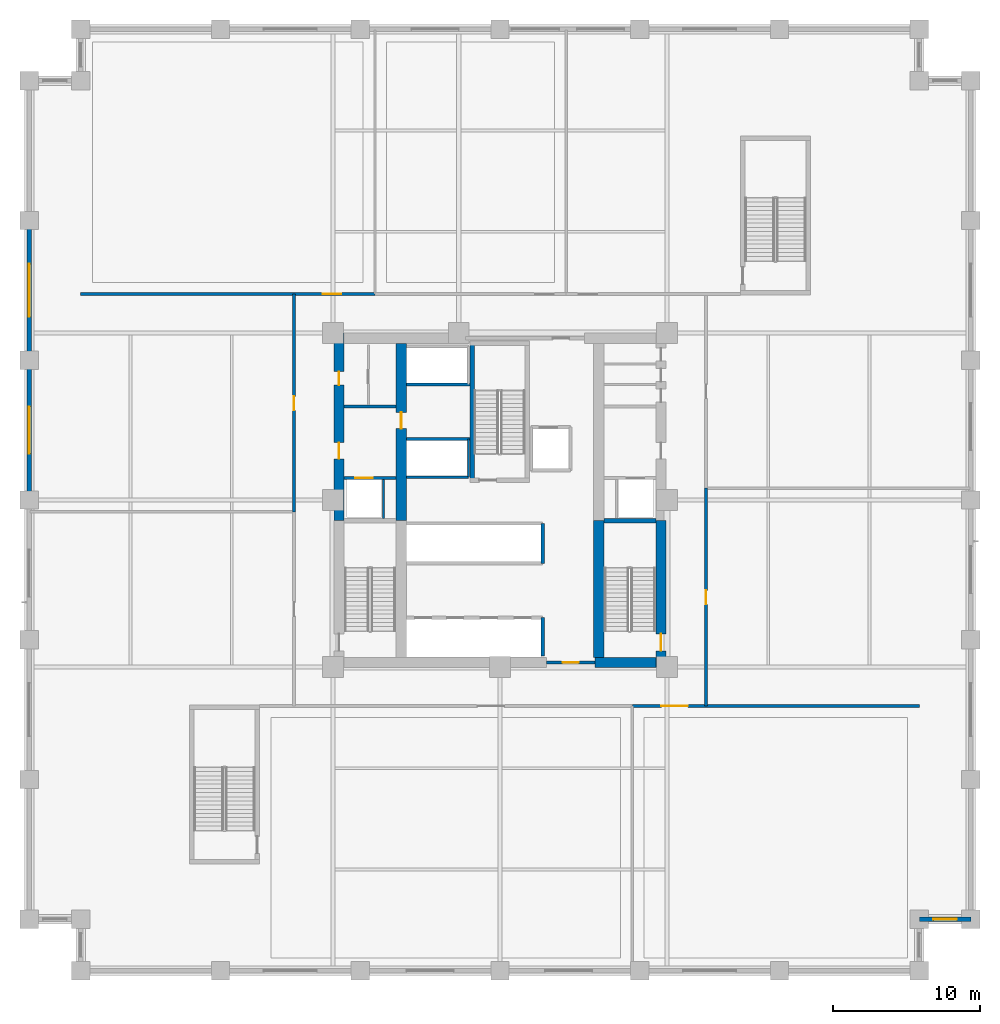
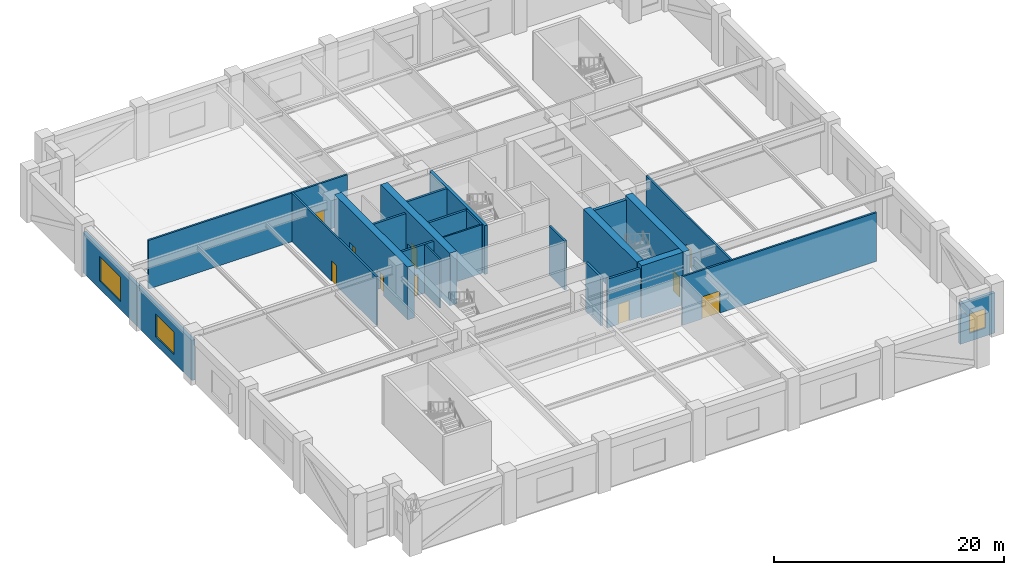
# One storey, part 6 of 14: 24 walls, 10 doors, 3 windows, 13 openings.
"""IFC4 building model written with IfcOpenShell, lengths in metres."""

from ifc_helpers import new_model, si_unit, direction, frame, frame_2d, origin, place, context, subcontext, project, spatial, rectangle, extrude, material, layer, layer_set, type_object, element, fill, save


model = new_model("IFC4")

# Units and contexts
model_context = context("Model", 3, precision=1e-05, world=origin(), true_north=direction((0.0, 1.0)))
body_context = subcontext(model_context, "Body", "Model", "MODEL_VIEW")
ifc_project = project(units=[si_unit("LENGTHUNIT", "METRE"), si_unit("AREAUNIT", "SQUARE_METRE"), si_unit("VOLUMEUNIT", "CUBIC_METRE"), si_unit("PLANEANGLEUNIT", "RADIAN"), si_unit("MASSUNIT", "GRAM", prefix="KILO")], contexts=[model_context])

# Site, building, storey
site_placement = place(None, origin())
site = spatial("IfcSite", under=ifc_project, at=site_placement, CompositionType="ELEMENT")
building_placement = place(site_placement, origin())
building = spatial("IfcBuilding", under=site, at=building_placement, Name="Nhamokura Convention Tower", CompositionType="ELEMENT")
storey_placement = place(building_placement, frame((0.0, 0.0, 23.800048828125)))
storey = spatial("IfcBuildingStorey", under=building, at=storey_placement, Name="L04", CompositionType="ELEMENT", Elevation=23.800048828125)

# Wall, opening, window
ifc_material_1 = material(Name="Bronze-pigmented precast concrete C45/55", Category="concrete")
ifc_layer_1 = layer(ifc_material_1, 0.320068359375)
ifc_layer_set_1 = layer_set([ifc_layer_1], Name="BronzePrecastSpandrel_320")
wall_type_1 = type_object("IfcWallType", Name="BronzePrecastSpandrel_320", PredefinedType="USERDEFINED", material=ifc_layer_set_1)
wall_1_placement = place(storey_placement, frame((0.0, 32.0, 0.0), z_axis=(0.0, 0.0, 1.0), x_axis=(0.0, 1.0, 0.0)))
wall_1 = element("IfcWall", 1, at=wall_1_placement, inside=storey, type_object=wall_type_1, Name="L04 Masonry-Frame Wall WEST 3", ObjectType="SPANDREL_WALL", PredefinedType="USERDEFINED", context=body_context, shape_type="SweptSolid", body=[
    extrude(rectangle(XDim=9.5, YDim=0.320068359375, at=frame_2d((4.75, 0.0))), origin(), (0.0, 0.0, 1.0), 4.280029296875),
])
opening_1_placement = place(wall_1_placement, frame((3.14990234375, 0.0, 0.85009765625)))
opening_1 = element("IfcOpeningElement", 2, at=opening_1_placement, cuts=wall_1, Name="Opening W-02", PredefinedType="OPENING", context=body_context, shape_type="SweptSolid", body=[
    extrude(rectangle(XDim=3.199951171875, YDim=2.39990234375, at=frame_2d((1.60009765625, 1.199951171875))), frame((0.0, 0.169921875, 0.0), z_axis=(0.0, -1.0, 0.0), x_axis=(1.0, 0.0, 0.0)), (0.0, 0.0, 1.0), 0.340087890625),
])
ifc_material_2 = material(Name="Solar-control bronze low-E double glass", Category="glass")
window_type_1 = type_object("IfcWindowType", Name="ConventionFoyerWindow_3200", PartitioningType="DOUBLE_PANEL_VERTICAL", PredefinedType="WINDOW", material=ifc_material_2)
window_1_placement = place(opening_1_placement, origin())
window_1 = element("IfcWindow", 3, at=window_1_placement, inside=storey, type_object=window_type_1, Name="L04 Facade Window WEST 3", OverallHeight=2.39990234375, OverallWidth=3.199951171875, PartitioningType="SINGLE_PANEL", PredefinedType="WINDOW", context=body_context, shape_type="SweptSolid", body=[
    extrude(rectangle(XDim=3.199951171875, YDim=2.39990234375, at=frame_2d((1.60009765625, 1.199951171875))), frame((0.0, 0.030029296875, 0.0), z_axis=(0.0, -1.0, 0.0), x_axis=(1.0, 0.0, 0.0)), (0.0, 0.0, 1.0), 0.06005859375),
])
fill(opening_1, window_1)

wall_2_placement = place(storey_placement, frame((0.0, 41.5, 0.0), z_axis=(0.0, 0.0, 1.0), x_axis=(0.0, 1.0, 0.0)))
wall_2 = element("IfcWall", 4, at=wall_2_placement, inside=storey, type_object=wall_type_1, Name="L04 Masonry-Frame Wall WEST 4", ObjectType="SPANDREL_WALL", PredefinedType="USERDEFINED", context=body_context, shape_type="SweptSolid", body=[
    extrude(rectangle(XDim=9.5, YDim=0.320068359375, at=frame_2d((4.75, 0.0))), origin(), (0.0, 0.0, 1.0), 4.280029296875),
])
opening_2_placement = place(wall_2_placement, frame((2.949951171875, 0.0, 0.85009765625)))
opening_2 = element("IfcOpeningElement", 5, at=opening_2_placement, cuts=wall_2, Name="Opening W-01", PredefinedType="OPENING", context=body_context, shape_type="SweptSolid", body=[
    extrude(rectangle(XDim=3.60009765625, YDim=2.60009765625, at=frame_2d((1.800048828125, 1.300048828125))), frame((0.0, 0.169921875, 0.0), z_axis=(0.0, -1.0, 0.0), x_axis=(1.0, 0.0, 0.0)), (0.0, 0.0, 1.0), 0.340087890625),
])
ifc_material_3 = material(Name="Solar-control bronze low-E double glass", Category="glass")
window_type_2 = type_object("IfcWindowType", Name="PodiumClerestoryWindow_3600", PartitioningType="TRIPLE_PANEL_VERTICAL", PredefinedType="WINDOW", material=ifc_material_3)
window_2_placement = place(opening_2_placement, origin())
window_2 = element("IfcWindow", 6, at=window_2_placement, inside=storey, type_object=window_type_2, Name="L04 Facade Window WEST 4", OverallHeight=2.60009765625, OverallWidth=3.60009765625, PartitioningType="SINGLE_PANEL", PredefinedType="WINDOW", context=body_context, shape_type="SweptSolid", body=[
    extrude(rectangle(XDim=3.60009765625, YDim=2.60009765625, at=frame_2d((1.800048828125, 1.300048828125))), frame((0.0, 0.030029296875, 0.0), z_axis=(0.0, -1.0, 0.0), x_axis=(1.0, 0.0, 0.0)), (0.0, 0.0, 1.0), 0.06005859375),
])
fill(opening_2, window_2)

wall_3_placement = place(storey_placement, frame((64.0, 3.5, 0.0), z_axis=(0.0, 0.0, 1.0), x_axis=(-1.0, 0.0, 0.0)))
wall_3 = element("IfcWall", 7, at=wall_3_placement, inside=storey, type_object=wall_type_1, Name="L04 Notched Corner Wall SE2", ObjectType="SPANDREL_WALL", PredefinedType="USERDEFINED", context=body_context, shape_type="SweptSolid", body=[
    extrude(rectangle(XDim=3.5, YDim=0.320068359375, at=frame_2d((1.75, 0.0))), origin(), (0.0, 0.0, 1.0), 4.280029296875),
])
opening_3_placement = place(wall_3_placement, frame((0.949951171875, 0.0, 0.85009765625)))
opening_3 = element("IfcOpeningElement", 8, at=opening_3_placement, cuts=wall_3, Name="Opening W-11", PredefinedType="OPENING", context=body_context, shape_type="SweptSolid", body=[
    extrude(rectangle(XDim=1.60009765625, YDim=2.050048828125, at=frame_2d((0.800048828125, 1.02490234375))), frame((0.0, 0.169921875, 0.0), z_axis=(0.0, -1.0, 0.0), x_axis=(1.0, 0.0, 0.0)), (0.0, 0.0, 1.0), 0.340087890625),
])
ifc_material_4 = material(Name="Solar-control bronze low-E double glass", Category="glass")
window_type_3 = type_object("IfcWindowType", Name="NotchCornerWindow_1600", PartitioningType="SINGLE_PANEL", PredefinedType="WINDOW", material=ifc_material_4)
window_3_placement = place(opening_3_placement, origin())
window_3 = element("IfcWindow", 9, at=window_3_placement, inside=storey, type_object=window_type_3, Name="L04 Notched Corner Window SE2", OverallHeight=2.050048828125, OverallWidth=1.60009765625, PartitioningType="SINGLE_PANEL", PredefinedType="WINDOW", context=body_context, shape_type="SweptSolid", body=[
    extrude(rectangle(XDim=1.60009765625, YDim=2.050048828125, at=frame_2d((0.800048828125, 1.02490234375))), frame((0.0, 0.030029296875, 0.0), z_axis=(0.0, -1.0, 0.0), x_axis=(1.0, 0.0, 0.0)), (0.0, 0.0, 1.0), 0.06005859375),
])
fill(opening_3, window_3)

# Wall, openings, doors
ifc_material_5 = material(Name="Concrete C70/85", Category="concrete")
ifc_layer_2 = layer(ifc_material_5, 0.699951171875)
ifc_layer_set_2 = layer_set([ifc_layer_2], Name="CoreShearWall_700")
wall_type_2 = type_object("IfcWallType", Name="CoreShearWall_700", PredefinedType="SHEAR", material=ifc_layer_set_2)
wall_4_placement = place(storey_placement, frame((21.06005859375, 30.60009765625, 0.0), z_axis=(0.0, 0.0, 1.0), x_axis=(0.0, 1.0, 0.0)))
wall_4 = element("IfcWall", 10, at=wall_4_placement, inside=storey, type_object=wall_type_2, Name="L04 Core Shear Wall CW-WN", PredefinedType="SHEAR", context=body_context, shape_type="SweptSolid", body=[
    extrude(rectangle(XDim=12.75, YDim=0.699951171875, at=frame_2d((6.375, 0.0))), origin(), (0.0, 0.0, 1.0), 5.599853515625),
])
opening_4_placement = place(wall_4_placement, frame((4.199951171875, 0.0, 0.0)))
opening_4 = element("IfcOpeningElement", 11, at=opening_4_placement, cuts=wall_4, Name="Opening D-05", PredefinedType="OPENING", context=body_context, shape_type="SweptSolid", body=[
    extrude(rectangle(XDim=1.10009765625, YDim=2.14990234375, at=frame_2d((0.550048828125, 1.074951171875))), frame((0.0, 0.35986328125, 0.0), z_axis=(0.0, -1.0, 0.0), x_axis=(1.0, 0.0, 0.0)), (0.0, 0.0, 1.0), 0.719970703125),
])
opening_5_placement = place(wall_4_placement, frame((9.199951171875, 0.0, 0.0)))
opening_5 = element("IfcOpeningElement", 12, at=opening_5_placement, cuts=wall_4, Name="Opening D-10", PredefinedType="OPENING", context=body_context, shape_type="SweptSolid", body=[
    extrude(rectangle(XDim=0.919921875, YDim=2.10009765625, at=frame_2d((0.4599609375, 1.050048828125))), frame((0.0, 0.35986328125, 0.0), z_axis=(0.0, -1.0, 0.0), x_axis=(1.0, 0.0, 0.0)), (0.0, 0.0, 1.0), 0.719970703125),
])
ifc_material_6 = material(Name="Solid oak hardwood", Category="wood")
door_type_1 = type_object("IfcDoorType", Name="AccessibleWCDoor_920", OperationType="NOTDEFINED", PredefinedType="DOOR", material=ifc_material_6)
door_1_placement = place(opening_5_placement, origin())
door_1 = element("IfcDoor", 13, at=door_1_placement, inside=storey, type_object=door_type_1, Name="L04 Core Door INT-L04-D-AWCW", OperationType="SINGLE_SWING_RIGHT", OverallHeight=2.10009765625, OverallWidth=0.919921875, PredefinedType="DOOR", context=body_context, shape_type="SweptSolid", body=[
    extrude(rectangle(XDim=0.919921875, YDim=2.10009765625, at=frame_2d((0.4599609375, 1.050048828125))), frame((0.0, 0.02490234375, 0.0), z_axis=(0.0, -1.0, 0.0), x_axis=(1.0, 0.0, 0.0)), (0.0, 0.0, 1.0), 0.050048828125),
])
fill(opening_5, door_1)
ifc_material_7 = material(Name="Fire-rated steel door", Category="steel")
door_type_2 = type_object("IfcDoorType", Name="FireLobbyDoor_1100", OperationType="NOTDEFINED", PredefinedType="DOOR", material=ifc_material_7)
door_2_placement = place(opening_4_placement, origin())
door_2 = element("IfcDoor", 14, at=door_2_placement, inside=storey, type_object=door_type_2, Name="L04 Core Door INT-L04-D-FFLW", OperationType="SINGLE_SWING_RIGHT", OverallHeight=2.14990234375, OverallWidth=1.10009765625, PredefinedType="DOOR", context=body_context, shape_type="SweptSolid", body=[
    extrude(rectangle(XDim=1.10009765625, YDim=2.14990234375, at=frame_2d((0.550048828125, 1.074951171875))), frame((0.0, 0.02490234375, 0.0), z_axis=(0.0, -1.0, 0.0), x_axis=(1.0, 0.0, 0.0)), (0.0, 0.0, 1.0), 0.050048828125),
])
fill(opening_4, door_2)

# Wall, opening, door
wall_5_placement = place(storey_placement, frame((42.93994140625, 20.60009765625, 0.0), z_axis=(0.0, 0.0, 1.0), x_axis=(0.0, 1.0, 0.0)))
wall_5 = element("IfcWall", 15, at=wall_5_placement, inside=storey, type_object=wall_type_2, Name="L04 Core Shear Wall CW-ES", PredefinedType="SHEAR", context=body_context, shape_type="SweptSolid", body=[
    extrude(rectangle(XDim=10.0, YDim=0.699951171875, at=frame_2d((5.0, 0.0))), origin(), (0.0, 0.0, 1.0), 5.599853515625),
])
opening_6_placement = place(wall_5_placement, frame((1.14990234375, 0.0, 0.0)))
opening_6 = element("IfcOpeningElement", 16, at=opening_6_placement, cuts=wall_5, Name="Opening D-04", PredefinedType="OPENING", context=body_context, shape_type="SweptSolid", body=[
    extrude(rectangle(XDim=1.14990234375, YDim=2.14990234375, at=frame_2d((0.574951171875, 1.074951171875))), frame((0.0, 0.35986328125, 0.0), z_axis=(0.0, -1.0, 0.0), x_axis=(1.0, 0.0, 0.0)), (0.0, 0.0, 1.0), 0.719970703125),
])
ifc_material_8 = material(Name="Fire-rated steel door", Category="steel")
door_type_3 = type_object("IfcDoorType", Name="StairSmokeDoor_1150", OperationType="NOTDEFINED", PredefinedType="DOOR", material=ifc_material_8)
door_3_placement = place(opening_6_placement, origin())
door_3 = element("IfcDoor", 17, at=door_3_placement, inside=storey, type_object=door_type_3, Name="L04 Core Door INT-L04-D-ST02", OperationType="SINGLE_SWING_RIGHT", OverallHeight=2.14990234375, OverallWidth=1.14990234375, PredefinedType="DOOR", context=body_context, shape_type="SweptSolid", body=[
    extrude(rectangle(XDim=1.14990234375, YDim=2.14990234375, at=frame_2d((0.574951171875, 1.074951171875))), frame((0.0, 0.02490234375, 0.0), z_axis=(0.0, -1.0, 0.0), x_axis=(1.0, 0.0, 0.0)), (0.0, 0.0, 1.0), 0.050048828125),
])
fill(opening_6, door_3)

# Wall
wall_6_placement = place(storey_placement, frame((38.449951171875, 20.949951171875, 0.0), z_axis=(0.0, 0.0, 1.0), x_axis=(1.0, 0.0, 0.0)))
element("IfcWall", 18, at=wall_6_placement, inside=storey, type_object=wall_type_2, Name="L04 Core Shear Wall CW-S2", PredefinedType="SHEAR", context=body_context, shape_type="SweptSolid", body=[
    extrude(rectangle(XDim=4.14013671875, YDim=0.699951171875, at=frame_2d((2.070068359375, 0.0))), origin(), (0.0, 0.0, 1.0), 5.599853515625),
])

# Wall, opening, door
wall_7_placement = place(storey_placement, frame((25.2900390625, 30.60009765625, 0.0), z_axis=(0.0, 0.0, 1.0), x_axis=(0.0, 1.0, 0.0)))
wall_7 = element("IfcWall", 19, at=wall_7_placement, inside=storey, type_object=wall_type_2, Name="L04 Core Shear Wall CW-IWN", PredefinedType="SHEAR", context=body_context, shape_type="SweptSolid", body=[
    extrude(rectangle(XDim=12.0498046875, YDim=0.699951171875, at=frame_2d((6.02490234375, 0.0))), origin(), (0.0, 0.0, 1.0), 5.599853515625),
])
opening_7_placement = place(wall_7_placement, frame((6.25, 0.0, 0.0)))
opening_7 = element("IfcOpeningElement", 20, at=opening_7_placement, cuts=wall_7, Name="Opening D-05", PredefinedType="OPENING", context=body_context, shape_type="SweptSolid", body=[
    extrude(rectangle(XDim=1.10009765625, YDim=2.14990234375, at=frame_2d((0.550048828125, 1.074951171875))), frame((0.0, 0.35986328125, 0.0), z_axis=(0.0, -1.0, 0.0), x_axis=(1.0, 0.0, 0.0)), (0.0, 0.0, 1.0), 0.719970703125),
])
door_4_placement = place(opening_7_placement, origin())
door_4 = element("IfcDoor", 21, at=door_4_placement, inside=storey, type_object=door_type_2, Name="L04 Core Door INT-L04-D-B3LOB", OperationType="SINGLE_SWING_LEFT", OverallHeight=2.14990234375, OverallWidth=1.10009765625, PredefinedType="DOOR", context=body_context, shape_type="SweptSolid", body=[
    extrude(rectangle(XDim=1.10009765625, YDim=2.14990234375, at=frame_2d((0.550048828125, 1.074951171875))), frame((0.0, 0.02490234375, 0.0), z_axis=(0.0, -1.0, 0.0), x_axis=(1.0, 0.0, 0.0)), (0.0, 0.0, 1.0), 0.050048828125),
])
fill(opening_7, door_4)

# Wall
wall_8_placement = place(storey_placement, frame((38.7099609375, 21.300048828125, 0.0), z_axis=(0.0, 0.0, 1.0), x_axis=(0.0, 1.0, 0.0)))
element("IfcWall", 22, at=wall_8_placement, inside=storey, type_object=wall_type_2, Name="L04 Core Shear Wall CW-IES", PredefinedType="SHEAR", context=body_context, shape_type="SweptSolid", body=[
    extrude(rectangle(XDim=9.300048828125, YDim=0.699951171875, at=frame_2d((4.64990234375, 0.0))), origin(), (0.0, 0.0, 1.0), 5.599853515625),
])

# Wall, opening, door
ifc_material_9 = material(Name="Fire-rated gypsum and masonry partition", Category="masonry")
ifc_layer_3 = layer(ifc_material_9, 0.179931640625)
ifc_layer_set_3 = layer_set([ifc_layer_3], Name="CorridorRatedWall_180")
wall_type_3 = type_object("IfcWallType", Name="CorridorRatedWall_180", PredefinedType="STANDARD", material=ifc_layer_set_3)
wall_9_placement = place(storey_placement, frame((41.0, 18.0, 0.0), z_axis=(0.0, 0.0, 1.0), x_axis=(1.0, 0.0, 0.0)))
wall_9 = element("IfcWall", 23, at=wall_9_placement, inside=storey, type_object=wall_type_3, Name="L04 Wall INT-L04-CW-S01", PredefinedType="STANDARD", context=body_context, shape_type="SweptSolid", body=[
    extrude(rectangle(XDim=19.5, YDim=0.179931640625, at=frame_2d((9.75, 0.0))), origin(), (0.0, 0.0, 1.0), 5.179931640625),
])
opening_8_placement = place(wall_9_placement, frame((1.97509765625, 0.0, 0.0)))
opening_8 = element("IfcOpeningElement", 24, at=opening_8_placement, cuts=wall_9, Name="Opening D-03", PredefinedType="OPENING", context=body_context, shape_type="SweptSolid", body=[
    extrude(rectangle(XDim=1.800048828125, YDim=2.35009765625, at=frame_2d((0.89990234375, 1.175048828125))), frame((0.0, 0.099853515625, 0.0), z_axis=(0.0, -1.0, 0.0), x_axis=(1.0, 0.0, 0.0)), (0.0, 0.0, 1.0), 0.199951171875),
])
ifc_material_10 = material(Name="Solid oak hardwood", Category="wood")
door_type_4 = type_object("IfcDoorType", Name="BallroomDoubleDoor_1800", OperationType="DOUBLE_DOOR_SINGLE_SWING", PredefinedType="DOOR", material=ifc_material_10)
door_5_placement = place(opening_8_placement, origin())
door_5 = element("IfcDoor", 25, at=door_5_placement, inside=storey, type_object=door_type_4, Name="L04 Junior Banquet Hall S02 Door", OperationType="SINGLE_SWING_RIGHT", OverallHeight=2.35009765625, OverallWidth=1.800048828125, PredefinedType="DOOR", context=body_context, shape_type="SweptSolid", body=[
    extrude(rectangle(XDim=1.800048828125, YDim=2.35009765625, at=frame_2d((0.89990234375, 1.175048828125))), frame((0.0, 0.02490234375, 0.0), z_axis=(0.0, -1.0, 0.0), x_axis=(1.0, 0.0, 0.0)), (0.0, 0.0, 1.0), 0.050048828125),
])
fill(opening_8, door_5)

wall_10_placement = place(storey_placement, frame((3.5, 46.0, 0.0), z_axis=(0.0, 0.0, 1.0), x_axis=(1.0, 0.0, 0.0)))
wall_10 = element("IfcWall", 26, at=wall_10_placement, inside=storey, type_object=wall_type_3, Name="L04 Wall INT-L04-CW-N00", PredefinedType="STANDARD", context=body_context, shape_type="SweptSolid", body=[
    extrude(rectangle(XDim=20.0, YDim=0.179931640625, at=frame_2d((10.0, 0.0))), origin(), (0.0, 0.0, 1.0), 5.179931640625),
])
opening_9_placement = place(wall_10_placement, frame((16.449951171875, 0.0, 0.0)))
opening_9 = element("IfcOpeningElement", 27, at=opening_9_placement, cuts=wall_10, Name="Opening D-12", PredefinedType="OPENING", context=body_context, shape_type="SweptSolid", body=[
    extrude(rectangle(XDim=1.25, YDim=2.199951171875, at=frame_2d((0.625, 1.10009765625))), frame((0.0, 0.099853515625, 0.0), z_axis=(0.0, -1.0, 0.0), x_axis=(1.0, 0.0, 0.0)), (0.0, 0.0, 1.0), 0.199951171875),
])
ifc_material_11 = material(Name="Fire-rated steel door", Category="steel")
door_type_5 = type_object("IfcDoorType", Name="PlantServiceDoor_1250", OperationType="NOTDEFINED", PredefinedType="DOOR", material=ifc_material_11)
door_6_placement = place(opening_9_placement, origin())
door_6 = element("IfcDoor", 28, at=door_6_placement, inside=storey, type_object=door_type_5, Name="L04 Banquet Finishing Kitchen N01 Door", OperationType="SINGLE_SWING_LEFT", OverallHeight=2.199951171875, OverallWidth=1.25, PredefinedType="DOOR", context=body_context, shape_type="SweptSolid", body=[
    extrude(rectangle(XDim=1.25, YDim=2.199951171875, at=frame_2d((0.625, 1.10009765625))), frame((0.0, 0.02490234375, 0.0), z_axis=(0.0, -1.0, 0.0), x_axis=(1.0, 0.0, 0.0)), (0.0, 0.0, 1.0), 0.050048828125),
])
fill(opening_9, door_6)

wall_11_placement = place(storey_placement, frame((18.0, 31.199951171875, 0.0), z_axis=(0.0, 0.0, 1.0), x_axis=(0.0, 1.0, 0.0)))
wall_11 = element("IfcWall", 29, at=wall_11_placement, inside=storey, type_object=wall_type_3, Name="L04 Wall INT-L04-CW-W01", PredefinedType="STANDARD", context=body_context, shape_type="SweptSolid", body=[
    extrude(rectangle(XDim=14.800048828125, YDim=0.179931640625, at=frame_2d((7.39990234375, 0.0))), origin(), (0.0, 0.0, 1.0), 5.179931640625),
])
opening_10_placement = place(wall_11_placement, frame((6.89990234375, 0.0, 0.0)))
opening_10 = element("IfcOpeningElement", 30, at=opening_10_placement, cuts=wall_11, Name="Opening D-09", PredefinedType="OPENING", context=body_context, shape_type="SweptSolid", body=[
    extrude(rectangle(XDim=0.949951171875, YDim=2.14990234375, at=frame_2d((0.47509765625, 1.074951171875))), frame((0.0, 0.099853515625, 0.0), z_axis=(0.0, -1.0, 0.0), x_axis=(1.0, 0.0, 0.0)), (0.0, 0.0, 1.0), 0.199951171875),
])
ifc_material_12 = material(Name="Solid oak hardwood", Category="wood")
door_type_6 = type_object("IfcDoorType", Name="MeetingRoomDoor_950", OperationType="NOTDEFINED", PredefinedType="DOOR", material=ifc_material_12)
door_7_placement = place(opening_10_placement, origin())
door_7 = element("IfcDoor", 31, at=door_7_placement, inside=storey, type_object=door_type_6, Name="L04 Meeting Room W02 Door", OperationType="SINGLE_SWING_RIGHT", OverallHeight=2.14990234375, OverallWidth=0.949951171875, PredefinedType="DOOR", context=body_context, shape_type="SweptSolid", body=[
    extrude(rectangle(XDim=0.949951171875, YDim=2.14990234375, at=frame_2d((0.47509765625, 1.074951171875))), frame((0.0, 0.02490234375, 0.0), z_axis=(0.0, -1.0, 0.0), x_axis=(1.0, 0.0, 0.0)), (0.0, 0.0, 1.0), 0.050048828125),
])
fill(opening_10, door_7)

wall_12_placement = place(storey_placement, frame((46.0, 18.0, 0.0), z_axis=(0.0, 0.0, 1.0), x_axis=(0.0, 1.0, 0.0)))
wall_12 = element("IfcWall", 32, at=wall_12_placement, inside=storey, type_object=wall_type_3, Name="L04 Wall INT-L04-CW-E00", PredefinedType="STANDARD", context=body_context, shape_type="SweptSolid", body=[
    extrude(rectangle(XDim=14.800048828125, YDim=0.179931640625, at=frame_2d((7.39990234375, 0.0))), origin(), (0.0, 0.0, 1.0), 5.179931640625),
])
opening_11_placement = place(wall_12_placement, frame((6.89990234375, 0.0, 0.0)))
opening_11 = element("IfcOpeningElement", 33, at=opening_11_placement, cuts=wall_12, Name="Opening D-09", PredefinedType="OPENING", context=body_context, shape_type="SweptSolid", body=[
    extrude(rectangle(XDim=0.949951171875, YDim=2.14990234375, at=frame_2d((0.47509765625, 1.074951171875))), frame((0.0, 0.099853515625, 0.0), z_axis=(0.0, -1.0, 0.0), x_axis=(1.0, 0.0, 0.0)), (0.0, 0.0, 1.0), 0.199951171875),
])
door_8_placement = place(opening_11_placement, origin())
door_8 = element("IfcDoor", 34, at=door_8_placement, inside=storey, type_object=door_type_6, Name="L04 Delegate Business Lounge E01 Door", OperationType="SINGLE_SWING_LEFT", OverallHeight=2.14990234375, OverallWidth=0.949951171875, PredefinedType="DOOR", context=body_context, shape_type="SweptSolid", body=[
    extrude(rectangle(XDim=0.949951171875, YDim=2.14990234375, at=frame_2d((0.47509765625, 1.074951171875))), frame((0.0, 0.02490234375, 0.0), z_axis=(0.0, -1.0, 0.0), x_axis=(1.0, 0.0, 0.0)), (0.0, 0.0, 1.0), 0.050048828125),
])
fill(opening_11, door_8)

ifc_material_13 = material(Name="Autoclaved concrete blockwork", Category="masonry")
ifc_layer_4 = layer(ifc_material_13, 0.219970703125)
ifc_layer_set_4 = layer_set([ifc_layer_4], Name="FireLobbyWall_220")
wall_type_4 = type_object("IfcWallType", Name="FireLobbyWall_220", PredefinedType="STANDARD", material=ifc_layer_set_4)
wall_13_placement = place(storey_placement, frame((21.409912109375, 33.5, 0.0), z_axis=(0.0, 0.0, 1.0), x_axis=(1.0, 0.0, 0.0)))
wall_13 = element("IfcWall", 35, at=wall_13_placement, inside=storey, type_object=wall_type_4, Name="L04 Wall INT-L04-FFW-S", PredefinedType="STANDARD", context=body_context, shape_type="SweptSolid", body=[
    extrude(rectangle(XDim=3.530029296875, YDim=0.219970703125, at=frame_2d((1.76513671875, 0.0))), origin(), (0.0, 0.0, 1.0), 5.179931640625),
])
opening_12_placement = place(wall_13_placement, frame((0.75, 0.0, 0.0)))
opening_12 = element("IfcOpeningElement", 36, at=opening_12_placement, cuts=wall_13, Name="Opening LD-02", PredefinedType="OPENING", context=body_context, shape_type="SweptSolid", body=[
    extrude(rectangle(XDim=1.199951171875, YDim=2.199951171875, at=frame_2d((0.60009765625, 1.10009765625))), frame((0.0, 0.119873046875, 0.0), z_axis=(0.0, -1.0, 0.0), x_axis=(1.0, 0.0, 0.0)), (0.0, 0.0, 1.0), 0.239990234375),
])
ifc_material_14 = material(Name="Anodised bronze stainless steel", Category="steel")
door_type_7 = type_object("IfcDoorType", Name="LiftLandingDoor_FireService", OperationType="DOUBLE_DOOR_SLIDING", PredefinedType="DOOR", material=ifc_material_14)
door_9_placement = place(opening_12_placement, origin())
door_9 = element("IfcDoor", 37, at=door_9_placement, inside=storey, type_object=door_type_7, Name="L04 Firefighting Lift LF-01 Door", OperationType="DOUBLE_DOOR_SLIDING", OverallHeight=2.199951171875, OverallWidth=1.199951171875, PredefinedType="DOOR", context=body_context, shape_type="SweptSolid", body=[
    extrude(rectangle(XDim=1.199951171875, YDim=2.199951171875, at=frame_2d((0.60009765625, 1.10009765625))), frame((0.0, 0.02490234375, 0.0), z_axis=(0.0, -1.0, 0.0), x_axis=(1.0, 0.0, 0.0)), (0.0, 0.0, 1.0), 0.050048828125),
])
fill(opening_12, door_9)

# Wall
wall_14_placement = place(storey_placement, frame((21.409912109375, 38.35009765625, 0.0), z_axis=(0.0, 0.0, 1.0), x_axis=(1.0, 0.0, 0.0)))
element("IfcWall", 38, at=wall_14_placement, inside=storey, type_object=wall_type_4, Name="L04 Wall INT-L04-FFW-N", PredefinedType="STANDARD", context=body_context, shape_type="SweptSolid", body=[
    extrude(rectangle(XDim=3.530029296875, YDim=0.219970703125, at=frame_2d((1.76513671875, 0.0))), origin(), (0.0, 0.0, 1.0), 5.179931640625),
])

# Wall, opening, door
wall_15_placement = place(storey_placement, frame((35.14990234375, 20.949951171875, 0.0), z_axis=(0.0, 0.0, 1.0), x_axis=(1.0, 0.0, 0.0)))
wall_15 = element("IfcWall", 39, at=wall_15_placement, inside=storey, type_object=wall_type_4, Name="L04 Wall INT-L04-SPORT-S", PredefinedType="STANDARD", context=body_context, shape_type="SweptSolid", body=[
    extrude(rectangle(XDim=3.300048828125, YDim=0.219970703125, at=frame_2d((1.64990234375, 0.0))), origin(), (0.0, 0.0, 1.0), 5.179931640625),
])
opening_13_placement = place(wall_15_placement, frame((1.10009765625, 0.0, 0.0)))
opening_13 = element("IfcOpeningElement", 40, at=opening_13_placement, cuts=wall_15, Name="Opening D-05", PredefinedType="OPENING", context=body_context, shape_type="SweptSolid", body=[
    extrude(rectangle(XDim=1.10009765625, YDim=2.14990234375, at=frame_2d((0.550048828125, 1.074951171875))), frame((0.0, 0.119873046875, 0.0), z_axis=(0.0, -1.0, 0.0), x_axis=(1.0, 0.0, 0.0)), (0.0, 0.0, 1.0), 0.239990234375),
])
door_10_placement = place(opening_13_placement, origin())
door_10 = element("IfcDoor", 41, at=door_10_placement, inside=storey, type_object=door_type_2, Name="L04 South Core Lobby Portal Door", OperationType="SINGLE_SWING_LEFT", OverallHeight=2.14990234375, OverallWidth=1.10009765625, PredefinedType="DOOR", context=body_context, shape_type="SweptSolid", body=[
    extrude(rectangle(XDim=1.10009765625, YDim=2.14990234375, at=frame_2d((0.550048828125, 1.074951171875))), frame((0.0, 0.02490234375, 0.0), z_axis=(0.0, -1.0, 0.0), x_axis=(1.0, 0.0, 0.0)), (0.0, 0.0, 1.0), 0.050048828125),
])
fill(opening_13, door_10)

# Walls
wall_16_placement = place(storey_placement, frame((34.89990234375, 21.39990234375, 0.0), z_axis=(0.0, 0.0, 1.0), x_axis=(0.0, 1.0, 0.0)))
element("IfcWall", 42, at=wall_16_placement, inside=storey, type_object=wall_type_4, Name="L04 Wall INT-L04-B1E", PredefinedType="STANDARD", context=body_context, shape_type="SweptSolid", body=[
    extrude(rectangle(XDim=2.60009765625, YDim=0.219970703125, at=frame_2d((1.300048828125, 0.0))), origin(), (0.0, 0.0, 1.0), 5.179931640625),
])
wall_17_placement = place(storey_placement, frame((34.89990234375, 27.699951171875, 0.0), z_axis=(0.0, 0.0, 1.0), x_axis=(0.0, 1.0, 0.0)))
element("IfcWall", 43, at=wall_17_placement, inside=storey, type_object=wall_type_4, Name="L04 Wall INT-L04-B2E", PredefinedType="STANDARD", context=body_context, shape_type="SweptSolid", body=[
    extrude(rectangle(XDim=2.699951171875, YDim=0.219970703125, at=frame_2d((1.35009765625, 0.0))), origin(), (0.0, 0.0, 1.0), 5.179931640625),
])
for number, where, z_axis, x_axis, name in (
    (44, (25.64990234375, 36.14990234375, 0.0), (0.0, 0.0, 1.0), (1.0, 0.0, 0.0), "L04 Wall INT-L04-B3S"),
    (45, (25.64990234375, 39.85009765625, 0.0), (0.0, 0.0, 1.0), (1.0, 0.0, 0.0), "L04 Wall INT-L04-B3N"),
):
    element("IfcWall", number, at=place(storey_placement, frame(where, z_axis=z_axis, x_axis=x_axis)), inside=storey, type_object=wall_type_4, Name=name, PredefinedType="STANDARD", context=body_context, shape_type="SweptSolid", body=[
        extrude(rectangle(XDim=4.300048828125, YDim=0.219970703125, at=frame_2d((2.14990234375, 0.0))), origin(), (0.0, 0.0, 1.0), 5.179931640625),
    ])
ifc_material_15 = material(Name="Acoustic gypsum stud partition", Category="masonry")
ifc_layer_5 = layer(ifc_material_15, 0.14990234375)
ifc_layer_set_5 = layer_set([ifc_layer_5], Name="InteriorPartition_150")
wall_type_5 = type_object("IfcWallType", Name="InteriorPartition_150", PredefinedType="STANDARD", material=ifc_layer_set_5)
wall_18_placement = place(storey_placement, frame((24.080078125, 30.75, 0.0), z_axis=(0.0, 0.0, 1.0), x_axis=(0.0, 1.0, 0.0)))
element("IfcWall", 46, at=wall_18_placement, inside=storey, type_object=wall_type_5, Name="L04 Wall INT-L04-FF1-E", PredefinedType="STANDARD", context=body_context, shape_type="SweptSolid", body=[
    extrude(rectangle(XDim=2.64990234375, YDim=0.14990234375, at=frame_2d((1.324951171875, 0.0))), origin(), (0.0, 0.0, 1.0), 5.179931640625),
])
wall_19_placement = place(storey_placement, frame((25.64990234375, 33.550048828125, 0.0), z_axis=(0.0, 0.0, 1.0), x_axis=(1.0, 0.0, 0.0)))
element("IfcWall", 47, at=wall_19_placement, inside=storey, type_object=wall_type_5, Name="L04 Wall INT-L04-B3A-S", PredefinedType="STANDARD", context=body_context, shape_type="SweptSolid", body=[
    extrude(rectangle(XDim=4.2001953125, YDim=0.14990234375, at=frame_2d((2.10009765625, 0.0))), origin(), (0.0, 0.0, 1.0), 5.179931640625),
])
wall_20_placement = place(storey_placement, frame((29.85009765625, 33.550048828125, 0.0), z_axis=(0.0, 0.0, 1.0), x_axis=(0.0, 1.0, 0.0)))
element("IfcWall", 48, at=wall_20_placement, inside=storey, type_object=wall_type_5, Name="L04 Wall INT-L04-B3A-E", PredefinedType="STANDARD", context=body_context, shape_type="SweptSolid", body=[
    extrude(rectangle(XDim=2.599853515625, YDim=0.14990234375, at=frame_2d((1.2998046875, 0.0))), origin(), (0.0, 0.0, 1.0), 5.179931640625),
])
ifc_material_16 = material(Name="Concrete C50/60", Category="concrete")
ifc_layer_6 = layer(ifc_material_16, 0.300048828125)
ifc_layer_set_6 = layer_set([ifc_layer_6], Name="ShaftEnclosureWall_300")
wall_type_6 = type_object("IfcWallType", Name="ShaftEnclosureWall_300", PredefinedType="SHEAR", material=ifc_layer_set_6)
wall_21_placement = place(storey_placement, frame((39.06005859375, 30.60009765625, 0.0), z_axis=(0.0, 0.0, 1.0), x_axis=(1.0, 0.0, 0.0)))
element("IfcWall", 49, at=wall_21_placement, inside=storey, type_object=wall_type_6, Name="L04 Wall INT-L04-ST02-N", PredefinedType="SHEAR", context=body_context, shape_type="SweptSolid", body=[
    extrude(rectangle(XDim=3.530029296875, YDim=0.300048828125, at=frame_2d((1.76513671875, 0.0))), origin(), (0.0, 0.0, 1.0), 5.179931640625),
])
wall_22_placement = place(storey_placement, frame((30.10009765625, 33.199951171875, 0.0), z_axis=(0.0, 0.0, 1.0), x_axis=(0.0, 1.0, 0.0)))
element("IfcWall", 50, at=wall_22_placement, inside=storey, type_object=wall_type_6, Name="L04 Wall INT-L04-ST03W", PredefinedType="SHEAR", context=body_context, shape_type="SweptSolid", body=[
    extrude(rectangle(XDim=9.60009765625, YDim=0.300048828125, at=frame_2d((4.800048828125, 0.0))), origin(), (0.0, 0.0, 1.0), 5.179931640625),
])

save(model, "model.ifc")
